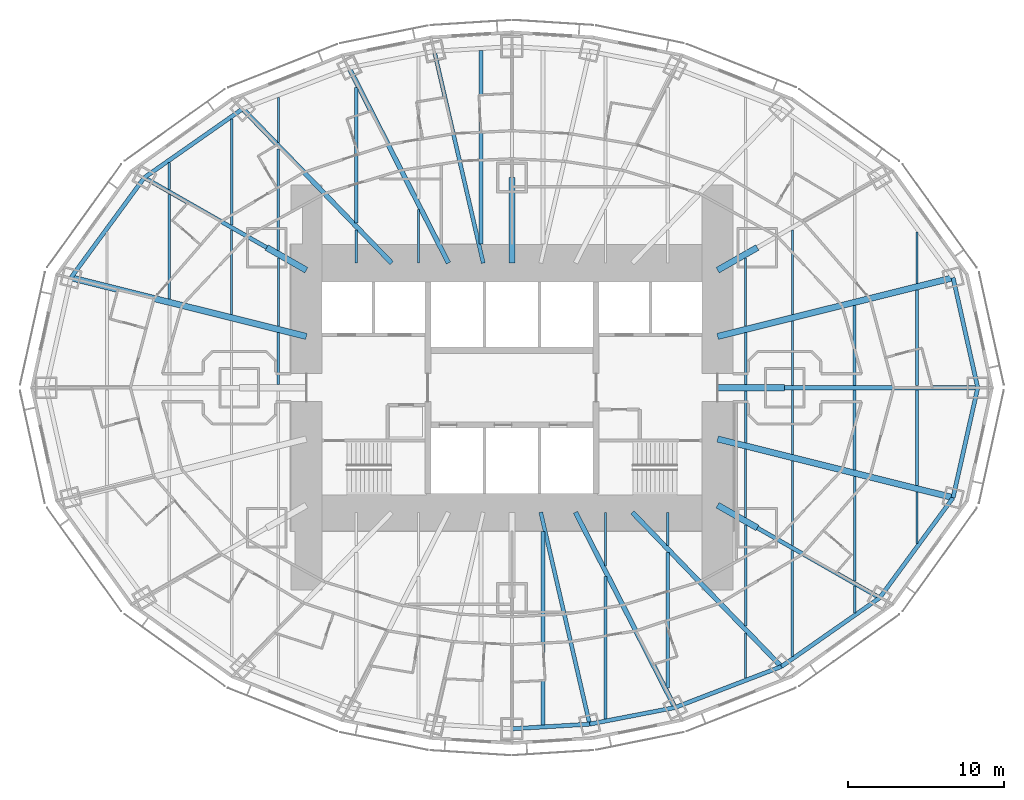
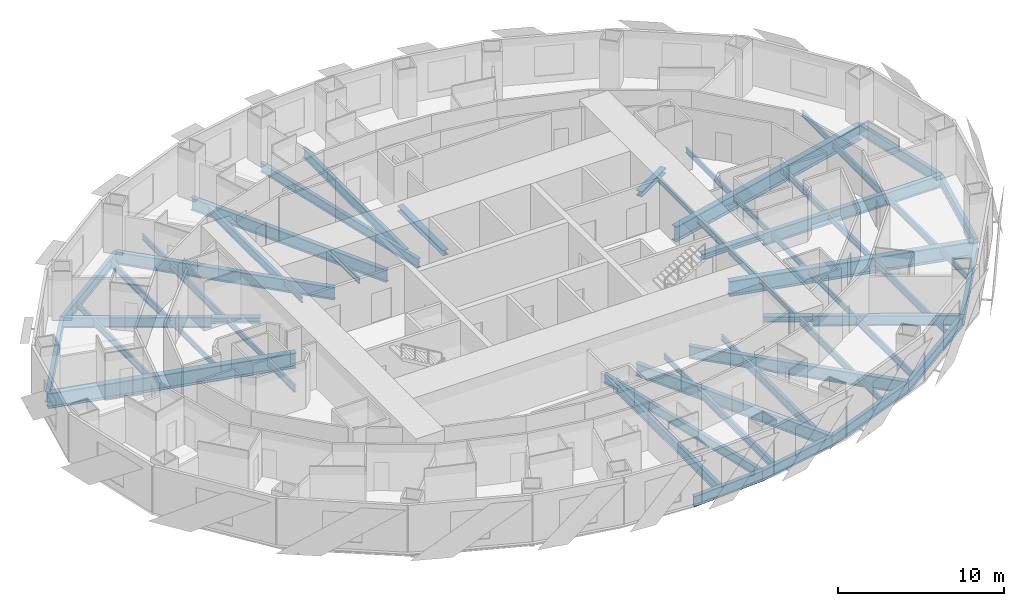
# One storey, part 2 of 15: 62 beams.
"""IFC4 building model written with IfcOpenShell, lengths in metres."""

import ifcopenshell
import ifcopenshell.guid

model = None  # the IFC model being written
_history = None  # IfcOwnerHistory: only IFC2X3 demands one
_inside = {}  # id of a spatial element -> (the spatial element, [elements in it])
_under = {}  # id of a project, library or spatial element -> (it, [spatial elements below it])
_declared = {}  # id of a project -> (the project, [libraries it declares])
_typed = {}  # id of a type object -> (the type object, [elements of that type])
_made_of = {}  # id of a material, layer set ... -> (it, [elements and type objects made of it])


def new_model(schema):
    """Start an empty IFC model of exactly this schema.

    Asked for "IFC4X3", IfcOpenShell would pick the latest addendum, in which some entities
    have other attributes; the version numbers below select the first issue.
    IFC2X3 requires an IfcOwnerHistory on every rooted entity: one is made here for all.
    """
    global model, _history
    if schema == "IFC4X3":
        model = ifcopenshell.file(schema_version=(4, 3, 0, 0))
    else:
        model = ifcopenshell.file(schema=schema)
    _inside.clear()
    _under.clear()
    _declared.clear()
    _typed.clear()
    _made_of.clear()
    _history = None
    if model.schema == "IFC2X3":
        org = make("IfcOrganization", Name="unknown")
        user = make(
            "IfcPersonAndOrganization",
            ThePerson=make("IfcPerson", FamilyName="unknown"),
            TheOrganization=org,
        )
        app = make(
            "IfcApplication",
            ApplicationDeveloper=org,
            Version="unknown",
            ApplicationFullName="unknown",
            ApplicationIdentifier="unknown",
        )
        _history = make(
            "IfcOwnerHistory",
            OwningUser=user,
            OwningApplication=app,
            ChangeAction="ADDED",
            CreationDate=0,
        )
    return model


def make(cls, **values):
    """One entity of the class cls with the attributes given. An attribute that is None is left unset."""
    return model.create_entity(
        cls, **{name: value for name, value in values.items() if value is not None}
    )


def rooted(cls, **values):
    """An entity with a GlobalId (a new one), such as an element, a storey or a relation."""
    return make(cls, GlobalId=ifcopenshell.guid.new(), OwnerHistory=_history, **values)


def si_unit(unit_type, name, prefix=None):
    """IfcSIUnit, for example si_unit("LENGTHUNIT", "METRE", prefix="MILLI")."""
    return make("IfcSIUnit", UnitType=unit_type, Prefix=prefix, Name=name)


def assignment(units):
    """IfcUnitAssignment: the units of a project."""
    return None if units is None else make("IfcUnitAssignment", Units=units)


def point(xyz):
    """IfcCartesianPoint."""
    return None if xyz is None else make("IfcCartesianPoint", Coordinates=xyz)


def direction(xyz):
    """IfcDirection."""
    return None if xyz is None else make("IfcDirection", DirectionRatios=xyz)


def frame(location, z_axis=None, x_axis=None):
    """IfcAxis2Placement3D, a coordinate frame: its origin and axes. An axis left out is left unset."""
    return make(
        "IfcAxis2Placement3D",
        Location=point(location),
        Axis=direction(z_axis),
        RefDirection=direction(x_axis),
    )


def frame_2d(location, x_axis=None):
    """IfcAxis2Placement2D, a coordinate frame in the plane: its origin and x axis."""
    return make(
        "IfcAxis2Placement2D", Location=point(location), RefDirection=direction(x_axis)
    )


def origin():
    """The frame at (0, 0, 0) with its axes left unset."""
    return frame((0.0, 0.0, 0.0))


def origin_2d():
    """The frame at (0, 0) in the plane with its x axis left unset."""
    return frame_2d((0.0, 0.0))


def place(relative_to, where):
    """IfcLocalPlacement: puts the frame where relative to a parent placement (None: the world)."""
    return make(
        "IfcLocalPlacement", PlacementRelTo=relative_to, RelativePlacement=where
    )


def context(
    kind, dimensions, precision=None, world=None, true_north=None, identifier=None
):
    """IfcGeometricRepresentationContext, for example the 3D "Model" context."""
    return make(
        "IfcGeometricRepresentationContext",
        ContextIdentifier=identifier,
        ContextType=kind,
        CoordinateSpaceDimension=dimensions,
        Precision=precision,
        WorldCoordinateSystem=world,
        TrueNorth=true_north,
    )


def subcontext(parent, identifier, kind, view, scale=None):
    """IfcGeometricRepresentationSubContext, for example "Body" below "Model"."""
    return make(
        "IfcGeometricRepresentationSubContext",
        ContextIdentifier=identifier,
        ContextType=kind,
        ParentContext=parent,
        TargetScale=scale,
        TargetView=view,
    )


def project(units=None, contexts=None):
    """IfcProject with its units and contexts."""
    return rooted(
        "IfcProject",
        Name="project",
        RepresentationContexts=contexts,
        UnitsInContext=assignment(units),
    )


def spatial(cls, under=None, at=None, **own):
    """A site, building, storey or space (cls), placed at a placement, below another one or the project."""
    s = rooted(cls, ObjectPlacement=at, **own)
    if under is not None:
        _under.setdefault(under.id(), (under, []))[1].append(s)
    return s


def profile(cls, at=None, kind="AREA", **sizes):
    """A parametric profile (cls). Its sizes go by their IFC names, for example OverallWidth=200.0."""
    return make(cls, ProfileType=kind, Position=at, **sizes)


def i_section(**sizes):
    """IfcIShapeProfileDef."""
    return profile("IfcIShapeProfileDef", **sizes)


def extrude(swept, where, along, depth):
    """IfcExtrudedAreaSolid: the profile swept, set in the frame where, extruded along a direction by depth."""
    return make(
        "IfcExtrudedAreaSolid",
        SweptArea=swept,
        Position=where,
        ExtrudedDirection=direction(along),
        Depth=depth,
    )


def shape(context_of_items, identifier, shape_type, items):
    """IfcShapeRepresentation: the items that make up one representation, for example the "Body"."""
    return make(
        "IfcShapeRepresentation",
        ContextOfItems=context_of_items,
        RepresentationIdentifier=identifier,
        RepresentationType=shape_type,
        Items=items,
    )


def material(Name=None, Category=None):
    """IfcMaterial."""
    return make("IfcMaterial", Name=Name, Category=Category)


def material_profile(
    of_material, cross_section, Name=None, Category=None, Priority=None
):
    """IfcMaterialProfile: a cross section and its material."""
    return make(
        "IfcMaterialProfile",
        Name=Name,
        Material=of_material,
        Profile=cross_section,
        Priority=Priority,
        Category=Category,
    )


def profile_set(profiles, Name=None, composite=None):
    """IfcMaterialProfileSet."""
    return make(
        "IfcMaterialProfileSet",
        Name=Name,
        MaterialProfiles=profiles,
        CompositeProfile=composite,
    )


def made_of(thing, what):
    """Note that an element or type object is made of a material, layer set ...; save() writes the relation."""
    if what is not None:
        _made_of.setdefault(what.id(), (what, []))[1].append(thing)
    return thing


def type_object(cls, material=None, **own):
    """A type object (cls), such as IfcWallType, which elements share."""
    return made_of(rooted(cls, **own), material)


def element(
    cls,
    number,
    at=None,
    inside=None,
    cuts=None,
    type_object=None,
    material=None,
    context=None,
    identifier="Body",
    shape_type=None,
    held_by="IfcProductDefinitionShape",
    body=None,
    shapes=None,
    **own,
):
    """One element of the class cls, such as IfcWall. Its Tag is "e" and its number.

    at: its placement. inside: the storey or other place that contains it. cuts: it is an
    opening in that element (IfcRelVoidsElement). A single representation is given by context,
    identifier, shape_type and body (its items); several are given by shapes. held_by: the class
    of the entity that holds the representations. save() writes the other relations.
    """
    e = rooted(cls, Tag="e%d" % number, ObjectPlacement=at, **own)
    if body is not None:
        shapes = [shape(context, identifier, shape_type, body)]
    if shapes is not None:
        e.Representation = make(held_by, Representations=shapes)
    if inside is not None:
        _inside.setdefault(inside.id(), (inside, []))[1].append(e)
    if cuts is not None:
        rooted(
            "IfcRelVoidsElement", RelatingBuildingElement=cuts, RelatedOpeningElement=e
        )
    if type_object is not None:
        _typed.setdefault(type_object.id(), (type_object, []))[1].append(e)
    return made_of(e, material)


def aggregate(whole, parts):
    """IfcRelAggregates: a whole, such as a stair, and the parts it consists of."""
    return rooted("IfcRelAggregates", RelatingObject=whole, RelatedObjects=parts)


def save(model, path):
    """Write the relations noted so far, then the file.

    IfcRelAggregates (storeys below a building ...), IfcRelContainedInSpatialStructure (elements
    in a storey), IfcRelDefinesByType, IfcRelAssociatesMaterial and IfcRelDeclares: one each for
    every whole, place, type object, material and project.
    """
    for whole, parts in _under.values():
        aggregate(whole, parts)
    for where, things in _inside.values():
        rooted(
            "IfcRelContainedInSpatialStructure",
            RelatedElements=things,
            RelatingStructure=where,
        )
    for kind, things in _typed.values():
        rooted("IfcRelDefinesByType", RelatedObjects=things, RelatingType=kind)
    for what, things in _made_of.values():
        rooted("IfcRelAssociatesMaterial", RelatedObjects=things, RelatingMaterial=what)
    for by, libraries in _declared.values():
        rooted("IfcRelDeclares", RelatingContext=by, RelatedDefinitions=libraries)
    model.write(path)


model = new_model("IFC4")

# Units and contexts
model_context = context("Model", 3, precision=1e-05, world=origin(), true_north=direction((0.0, 1.0)))
body_context = subcontext(model_context, "Body", "Model", "MODEL_VIEW")
ifc_project = project(units=[si_unit("LENGTHUNIT", "METRE"), si_unit("AREAUNIT", "SQUARE_METRE"), si_unit("VOLUMEUNIT", "CUBIC_METRE"), si_unit("PLANEANGLEUNIT", "RADIAN"), si_unit("MASSUNIT", "GRAM", prefix="KILO")], contexts=[model_context])

# Site, building, storey
site_placement = place(None, origin())
site = spatial("IfcSite", under=ifc_project, at=site_placement, CompositionType="ELEMENT")
building_placement = place(site_placement, origin())
building = spatial("IfcBuilding", under=site, at=building_placement, Name="Lantaw Convention Tower", CompositionType="ELEMENT")
storey_placement = place(building_placement, frame((0.0, 0.0, 62.199951171875)))
storey = spatial("IfcBuildingStorey", under=building, at=storey_placement, Name="L13", CompositionType="ELEMENT", Elevation=62.199951171875)

# Beams
ifc_material = material(Name="Steel ASTM A992", Category="steel")
ifc_material_profile_1 = material_profile(ifc_material, i_section(OverallWidth=0.2666015625, OverallDepth=0.76953125, WebThickness=0.015625, FlangeThickness=0.025390625, FilletRadius=0.0126953125, at=origin_2d()), Name="W30X132")
ifc_profile_set_1 = profile_set([ifc_material_profile_1], Name="Steel ASTM A992")
beam_type_1 = type_object("IfcBeamType", Name="Beam E W30X132", PredefinedType="SPANDREL", material=ifc_profile_set_1)
beam_1_placement = place(storey_placement, frame((29.89990234375, 0.0, -0.53466796875), z_axis=(-0.218652184873, 0.975802860239, 0.0), x_axis=(-0.975802860239, -0.218652184873, 0.0)))
element("IfcBeam", 1, at=beam_1_placement, inside=storey, type_object=beam_type_1, Name="Edge beam 1", PredefinedType="SPANDREL", context=body_context, shape_type="SweptSolid", body=[
    extrude(i_section(OverallWidth=0.2666015625, OverallDepth=0.76953125, WebThickness=0.015625, FlangeThickness=0.025390625, FilletRadius=0.0126953125, at=origin_2d()), origin(), (0.0, 0.0, 1.0), 7.2353515625),
])
beam_2_placement = place(storey_placement, frame((-17.290771484375, 17.9052734375, -0.53466796875), z_axis=(-0.81942686407, -0.57318375277, 0.0), x_axis=(0.57318375277, -0.81942686407, 0.0)))
element("IfcBeam", 2, at=beam_2_placement, inside=storey, type_object=beam_type_1, Name="Edge beam 10", PredefinedType="SPANDREL", context=body_context, shape_type="SweptSolid", body=[
    extrude(i_section(OverallWidth=0.2666015625, OverallDepth=0.76953125, WebThickness=0.015625, FlangeThickness=0.025390625, FilletRadius=0.0126953125, at=origin_2d()), origin(), (0.0, 0.0, 1.0), 7.70556640625),
])
beam_3_placement = place(storey_placement, frame((-23.60498046875, 13.488525390625, -0.53466796875), z_axis=(-0.591270709086, -0.806473154281, 0.0), x_axis=(0.806473154281, -0.591270709086, 0.0)))
element("IfcBeam", 3, at=beam_3_placement, inside=storey, type_object=beam_type_1, Name="Edge beam 11", PredefinedType="SPANDREL", context=body_context, shape_type="SweptSolid", body=[
    extrude(i_section(OverallWidth=0.2666015625, OverallDepth=0.76953125, WebThickness=0.015625, FlangeThickness=0.025390625, FilletRadius=0.0126953125, at=origin_2d()), origin(), (0.0, 0.0, 1.0), 7.970703125),
])
beam_4_placement = place(storey_placement, frame((0.0, -21.89990234375, -0.53466796875), z_axis=(0.998173858406, 0.060406526096, 0.0), x_axis=(-0.060406526096, 0.998173858406, 0.0)))
element("IfcBeam", 4, at=beam_4_placement, inside=storey, type_object=beam_type_1, Name="Edge beam 19", PredefinedType="SPANDREL", context=body_context, shape_type="SweptSolid", body=[
    extrude(i_section(OverallWidth=0.2666015625, OverallDepth=0.76953125, WebThickness=0.015625, FlangeThickness=0.025390625, FilletRadius=0.0126953125, at=origin_2d()), origin(), (0.0, 0.0, 1.0), 4.995361328125),
])
beam_5_placement = place(storey_placement, frame((4.986328125, -21.59814453125, -0.53466796875), z_axis=(0.981636565323, 0.190760723474, 0.0), x_axis=(-0.190760723474, 0.981636565323, 0.0)))
element("IfcBeam", 5, at=beam_5_placement, inside=storey, type_object=beam_type_1, Name="Edge beam 20", PredefinedType="SPANDREL", context=body_context, shape_type="SweptSolid", body=[
    extrude(i_section(OverallWidth=0.2666015625, OverallDepth=0.76953125, WebThickness=0.015625, FlangeThickness=0.025390625, FilletRadius=0.0126953125, at=origin_2d()), origin(), (0.0, 0.0, 1.0), 5.578857421875),
])
beam_6_placement = place(storey_placement, frame((10.462646484375, -20.533935546875, -0.53466796875), z_axis=(0.933232900641, 0.359271976588, 0.0), x_axis=(-0.359271976588, 0.933232900641, 0.0)))
element("IfcBeam", 6, at=beam_6_placement, inside=storey, type_object=beam_type_1, Name="Edge beam 21", PredefinedType="SPANDREL", context=body_context, shape_type="SweptSolid", body=[
    extrude(i_section(OverallWidth=0.2666015625, OverallDepth=0.76953125, WebThickness=0.015625, FlangeThickness=0.025390625, FilletRadius=0.0126953125, at=origin_2d()), origin(), (0.0, 0.0, 1.0), 7.316650390625),
])
beam_7_placement = place(storey_placement, frame((17.290771484375, -17.9052734375, -0.53466796875), z_axis=(0.81942686407, 0.57318375277, 0.0), x_axis=(-0.57318375277, 0.81942686407, 0.0)))
element("IfcBeam", 7, at=beam_7_placement, inside=storey, type_object=beam_type_1, Name="Edge beam 22", PredefinedType="SPANDREL", context=body_context, shape_type="SweptSolid", body=[
    extrude(i_section(OverallWidth=0.2666015625, OverallDepth=0.76953125, WebThickness=0.015625, FlangeThickness=0.025390625, FilletRadius=0.0126953125, at=origin_2d()), origin(), (0.0, 0.0, 1.0), 7.70556640625),
])
beam_8_placement = place(storey_placement, frame((23.60498046875, -13.488525390625, -0.53466796875), z_axis=(0.591270709086, 0.806473154281, 0.0), x_axis=(-0.806473154281, 0.591270709086, 0.0)))
element("IfcBeam", 8, at=beam_8_placement, inside=storey, type_object=beam_type_1, Name="Edge beam 23", PredefinedType="SPANDREL", context=body_context, shape_type="SweptSolid", body=[
    extrude(i_section(OverallWidth=0.2666015625, OverallDepth=0.76953125, WebThickness=0.015625, FlangeThickness=0.025390625, FilletRadius=0.0126953125, at=origin_2d()), origin(), (0.0, 0.0, 1.0), 7.970703125),
])
beam_9_placement = place(storey_placement, frame((28.31787109375, -7.060302734375, -0.53466796875), z_axis=(0.218652184873, 0.975802860239, 0.0), x_axis=(-0.975802860239, 0.218652184873, 0.0)))
element("IfcBeam", 9, at=beam_9_placement, inside=storey, type_object=beam_type_1, Name="Edge beam 24", PredefinedType="SPANDREL", context=body_context, shape_type="SweptSolid", body=[
    extrude(i_section(OverallWidth=0.2666015625, OverallDepth=0.76953125, WebThickness=0.015625, FlangeThickness=0.025390625, FilletRadius=0.0126953125, at=origin_2d()), origin(), (0.0, 0.0, 1.0), 7.2353515625),
])
ifc_material_profile_2 = material_profile(ifc_material, i_section(OverallWidth=0.25390625, OverallDepth=0.683349609375, WebThickness=0.012451171875, FlangeThickness=0.01904296875, FilletRadius=0.01513671875, at=origin_2d()), Name="W27X94")
ifc_profile_set_2 = profile_set([ifc_material_profile_2], Name="Steel ASTM A992")
beam_type_2 = type_object("IfcBeamType", Name="Beam G W27X94", PredefinedType="BEAM", material=ifc_profile_set_2)
for number, where, z_axis, x_axis, name in (
    (10, (-1.846923828125, 8.0, -0.49169921875), (-0.224952773175, 0.97436966796, 0.0), (-0.97436966796, -0.224952773175, 0.0), "Floor girder on ray 8"),
    (11, (1.846923828125, -8.0, -0.49169921875), (0.224952773175, -0.97436966796, 0.0), (0.97436966796, 0.224952773175, 0.0), "Floor girder on ray 20"),
):
    element("IfcBeam", number, at=place(storey_placement, frame(where, z_axis=z_axis, x_axis=x_axis)), inside=storey, type_object=beam_type_2, Name=name, PredefinedType="BEAM", context=body_context, shape_type="SweptSolid", body=[
        extrude(i_section(OverallWidth=0.25390625, OverallDepth=0.683349609375, WebThickness=0.012451171875, FlangeThickness=0.01904296875, FilletRadius=0.01513671875, at=origin_2d()), origin(), (0.0, 0.0, 1.0), 13.955810546875),
    ])
ifc_material_profile_3 = material_profile(ifc_material, i_section(OverallWidth=0.2666015625, OverallDepth=0.7568359375, WebThickness=0.013916015625, FlangeThickness=0.019287109375, FilletRadius=0.0126953125, at=origin_2d()), Name="W30X108")
ifc_profile_set_3 = profile_set([ifc_material_profile_3], Name="Steel ASTM A992")
beam_type_3 = type_object("IfcBeamType", Name="Beam G W30X108", PredefinedType="BEAM", material=ifc_profile_set_3)
for number, where, z_axis, x_axis, name in (
    (12, (-15.75, 9.0, -0.5283203125), (-0.868244802791, 0.496136032179, 0.0), (-0.496136032179, -0.868244802791, 0.0), "Floor girder on ray 11"),
    (13, (15.75, -9.0, -0.5283203125), (0.868244802791, -0.496136032179, 0.0), (0.496136032179, 0.868244802791, 0.0), "Floor girder on ray 23"),
):
    element("IfcBeam", number, at=place(storey_placement, frame(where, z_axis=z_axis, x_axis=x_axis)), inside=storey, type_object=beam_type_3, Name=name, PredefinedType="BEAM", context=body_context, shape_type="SweptSolid", body=[
        extrude(i_section(OverallWidth=0.2666015625, OverallDepth=0.7568359375, WebThickness=0.013916015625, FlangeThickness=0.019287109375, FilletRadius=0.0126953125, at=origin_2d()), origin(), (0.0, 0.0, 1.0), 9.046875),
    ])
ifc_material_profile_4 = material_profile(ifc_material, i_section(OverallWidth=0.307373046875, OverallDepth=0.922119140625, WebThickness=0.018310546875, FlangeThickness=0.030029296875, FilletRadius=0.0126953125, at=origin_2d()), Name="W36X182")
ifc_profile_set_4 = profile_set([ifc_material_profile_4], Name="Steel ASTM A992")
beam_type_4 = type_object("IfcBeamType", Name="Beam G W36X182", PredefinedType="BEAM", material=ifc_profile_set_4)
beam_10_placement = place(storey_placement, frame((17.5, 0.0, -0.61083984375), z_axis=(1.0, 0.0, 0.0), x_axis=(0.0, 1.0, 0.0)))
element("IfcBeam", 14, at=beam_10_placement, inside=storey, type_object=beam_type_4, Name="Floor girder on ray 1", PredefinedType="BEAM", context=body_context, shape_type="SweptSolid", body=[
    extrude(i_section(OverallWidth=0.307373046875, OverallDepth=0.922119140625, WebThickness=0.018310546875, FlangeThickness=0.030029296875, FilletRadius=0.0126953125, at=origin_2d()), origin(), (0.0, 0.0, 1.0), 12.39990234375),
])
beam_11_placement = place(storey_placement, frame((-4.076171875, 8.0, -0.61083984375), z_axis=(-0.453997016122, 0.891003203896, 0.0), x_axis=(-0.891003203896, -0.453997016122, 0.0)))
element("IfcBeam", 15, at=beam_11_placement, inside=storey, type_object=beam_type_4, Name="Floor girder on ray 9", PredefinedType="BEAM", context=body_context, shape_type="SweptSolid", body=[
    extrude(i_section(OverallWidth=0.307373046875, OverallDepth=0.922119140625, WebThickness=0.018310546875, FlangeThickness=0.030029296875, FilletRadius=0.0126953125, at=origin_2d()), origin(), (0.0, 0.0, 1.0), 14.067138671875),
])
beam_12_placement = place(storey_placement, frame((-7.7255859375, 8.0, -0.61083984375), z_axis=(-0.694649884291, 0.719347995239, 0.0), x_axis=(-0.719347995239, -0.694649884291, 0.0)))
element("IfcBeam", 16, at=beam_12_placement, inside=storey, type_object=beam_type_4, Name="Floor girder on ray 10", PredefinedType="BEAM", context=body_context, shape_type="SweptSolid", body=[
    extrude(i_section(OverallWidth=0.307373046875, OverallDepth=0.922119140625, WebThickness=0.018310546875, FlangeThickness=0.030029296875, FilletRadius=0.0126953125, at=origin_2d()), origin(), (0.0, 0.0, 1.0), 13.769775390625),
])
beam_13_placement = place(storey_placement, frame((4.076171875, -8.0, -0.61083984375), z_axis=(0.453997016122, -0.891003203896, 0.0), x_axis=(0.891003203896, 0.453997016122, 0.0)))
element("IfcBeam", 17, at=beam_13_placement, inside=storey, type_object=beam_type_4, Name="Floor girder on ray 21", PredefinedType="BEAM", context=body_context, shape_type="SweptSolid", body=[
    extrude(i_section(OverallWidth=0.307373046875, OverallDepth=0.922119140625, WebThickness=0.018310546875, FlangeThickness=0.030029296875, FilletRadius=0.0126953125, at=origin_2d()), origin(), (0.0, 0.0, 1.0), 14.067138671875),
])
beam_14_placement = place(storey_placement, frame((7.7255859375, -8.0, -0.61083984375), z_axis=(0.694649884291, -0.719347995239, 0.0), x_axis=(0.719347995239, 0.694649884291, 0.0)))
element("IfcBeam", 18, at=beam_14_placement, inside=storey, type_object=beam_type_4, Name="Floor girder on ray 22", PredefinedType="BEAM", context=body_context, shape_type="SweptSolid", body=[
    extrude(i_section(OverallWidth=0.307373046875, OverallDepth=0.922119140625, WebThickness=0.018310546875, FlangeThickness=0.030029296875, FilletRadius=0.0126953125, at=origin_2d()), origin(), (0.0, 0.0, 1.0), 13.769775390625),
])
ifc_material_profile_5 = material_profile(ifc_material, i_section(OverallWidth=0.40380859375, OverallDepth=1.11767578125, WebThickness=0.026123046875, FlangeThickness=0.044921875, FilletRadius=0.02001953125, at=origin_2d()), Name="W44X335")
ifc_profile_set_5 = profile_set([ifc_material_profile_5], Name="Steel ASTM A992")
beam_type_5 = type_object("IfcBeamType", Name="Beam G W44X335", PredefinedType="BEAM", material=ifc_profile_set_5)
for number, where, z_axis, x_axis, name in (
    (19, (13.199951171875, 3.291015625, -0.708740234375), (0.970296233567, 0.241919860957, 0.0), (-0.241919860957, 0.970296233567, 0.0), "Floor girder on ray 2"),
    (20, (-13.199951171875, 3.291015625, -0.708740234375), (-0.970296233567, 0.241919860957, 0.0), (-0.241919860957, -0.970296233567, 0.0), "Floor girder on ray 12"),
    (21, (13.199951171875, -3.291015625, -0.708740234375), (0.970296233567, -0.241919860957, 0.0), (0.241919860957, 0.970296233567, 0.0), "Floor girder on ray 24"),
):
    element("IfcBeam", number, at=place(storey_placement, frame(where, z_axis=z_axis, x_axis=x_axis)), inside=storey, type_object=beam_type_5, Name=name, PredefinedType="BEAM", context=body_context, shape_type="SweptSolid", body=[
        extrude(i_section(OverallWidth=0.40380859375, OverallDepth=1.11767578125, WebThickness=0.026123046875, FlangeThickness=0.044921875, FilletRadius=0.02001953125, at=origin_2d()), origin(), (0.0, 0.0, 1.0), 15.580810546875),
    ])
ifc_material_profile_6 = material_profile(ifc_material, i_section(OverallWidth=0.40380859375, OverallDepth=0.406494140625, WebThickness=0.027099609375, FlangeThickness=0.043701171875, FilletRadius=0.01513671875, at=origin_2d()), Name="W14X233")
ifc_profile_set_6 = profile_set([ifc_material_profile_6], Name="Steel ASTM A992")
beam_type_6 = type_object("IfcBeamType", Name="Beam GM W14X233", PredefinedType="BEAM", material=ifc_profile_set_6)
beam_15_placement = place(storey_placement, frame((13.199951171875, 0.0, -0.353271484375), z_axis=(1.0, 0.0, 0.0), x_axis=(0.0, 1.0, 0.0)))
element("IfcBeam", 22, at=beam_15_placement, inside=storey, type_object=beam_type_6, Name="Core link beam on ray 1", PredefinedType="BEAM", context=body_context, shape_type="SweptSolid", body=[
    extrude(i_section(OverallWidth=0.40380859375, OverallDepth=0.406494140625, WebThickness=0.027099609375, FlangeThickness=0.043701171875, FilletRadius=0.01513671875, at=origin_2d()), origin(), (0.0, 0.0, 1.0), 4.300048828125),
])
beam_16_placement = place(storey_placement, frame((13.199951171875, 7.54296875, -0.353271484375), z_axis=(0.868263603466, 0.496103129295, 0.0), x_axis=(-0.496103129295, 0.868263603466, 0.0)))
element("IfcBeam", 23, at=beam_16_placement, inside=storey, type_object=beam_type_6, Name="Core link beam on ray 3", PredefinedType="BEAM", context=body_context, shape_type="SweptSolid", body=[
    extrude(i_section(OverallWidth=0.40380859375, OverallDepth=0.406494140625, WebThickness=0.027099609375, FlangeThickness=0.043701171875, FilletRadius=0.01513671875, at=origin_2d()), origin(), (0.0, 0.0, 1.0), 2.93701171875),
])
beam_17_placement = place(storey_placement, frame((0.0, 8.0, -0.353271484375), z_axis=(0.0, 1.0, 0.0), x_axis=(-1.0, 0.0, 0.0)))
element("IfcBeam", 24, at=beam_17_placement, inside=storey, type_object=beam_type_6, Name="Core link beam on ray 7", PredefinedType="BEAM", context=body_context, shape_type="SweptSolid", body=[
    extrude(i_section(OverallWidth=0.40380859375, OverallDepth=0.406494140625, WebThickness=0.027099609375, FlangeThickness=0.043701171875, FilletRadius=0.01513671875, at=origin_2d()), origin(), (0.0, 0.0, 1.0), 5.5),
])
for number, where, z_axis, x_axis, name in (
    (25, (-13.199951171875, 7.54296875, -0.353271484375), (-0.868263603466, 0.496103129295, 0.0), (-0.496103129295, -0.868263603466, 0.0), "Core link beam on ray 11"),
    (26, (13.199951171875, -7.54296875, -0.353271484375), (0.868263603466, -0.496103129295, 0.0), (0.496103129295, 0.868263603466, 0.0), "Core link beam on ray 23"),
):
    element("IfcBeam", number, at=place(storey_placement, frame(where, z_axis=z_axis, x_axis=x_axis)), inside=storey, type_object=beam_type_6, Name=name, PredefinedType="BEAM", context=body_context, shape_type="SweptSolid", body=[
        extrude(i_section(OverallWidth=0.40380859375, OverallDepth=0.406494140625, WebThickness=0.027099609375, FlangeThickness=0.043701171875, FilletRadius=0.01513671875, at=origin_2d()), origin(), (0.0, 0.0, 1.0), 2.93701171875),
    ])
ifc_material_profile_7 = material_profile(ifc_material, i_section(OverallWidth=0.140380859375, OverallDepth=0.40380859375, WebThickness=0.007080078125, FlangeThickness=0.01123046875, FilletRadius=0.01025390625, at=origin_2d()), Name="W16X31")
ifc_profile_set_7 = profile_set([ifc_material_profile_7], Name="Steel ASTM A992")
beam_type_7 = type_object("IfcBeamType", Name="Beam J W16X31", PredefinedType="JOIST", material=ifc_profile_set_7)
beam_18_placement = place(storey_placement, frame((-22.0, 12.72509765625, -0.351806640625), z_axis=(0.0, 1.0, 0.0), x_axis=(-1.0, 0.0, 0.0)))
element("IfcBeam", 27, at=beam_18_placement, inside=storey, type_object=beam_type_7, Name="Floor joist", PredefinedType="JOIST", context=body_context, shape_type="SweptSolid", body=[
    extrude(i_section(OverallWidth=0.140380859375, OverallDepth=0.40380859375, WebThickness=0.007080078125, FlangeThickness=0.01123046875, FilletRadius=0.01025390625, at=origin_2d()), origin(), (0.0, 0.0, 1.0), 1.723388671875),
])
beam_19_placement = place(storey_placement, frame((-18.0, 4.696044921875, -0.351806640625), z_axis=(0.0, 1.0, 0.0), x_axis=(-1.0, 0.0, 0.0)))
element("IfcBeam", 28, at=beam_19_placement, inside=storey, type_object=beam_type_7, Name="Floor joist", PredefinedType="JOIST", context=body_context, shape_type="SweptSolid", body=[
    extrude(i_section(OverallWidth=0.140380859375, OverallDepth=0.40380859375, WebThickness=0.007080078125, FlangeThickness=0.01123046875, FilletRadius=0.01025390625, at=origin_2d()), origin(), (0.0, 0.0, 1.0), 5.43603515625),
])
beam_20_placement = place(storey_placement, frame((-15.0, 3.947998046875, -0.351806640625), z_axis=(0.0, 1.0, 0.0), x_axis=(-1.0, 0.0, 0.0)))
element("IfcBeam", 29, at=beam_20_placement, inside=storey, type_object=beam_type_7, Name="Floor joist", PredefinedType="JOIST", context=body_context, shape_type="SweptSolid", body=[
    extrude(i_section(OverallWidth=0.140380859375, OverallDepth=0.40380859375, WebThickness=0.007080078125, FlangeThickness=0.01123046875, FilletRadius=0.01025390625, at=origin_2d()), origin(), (0.0, 0.0, 1.0), 4.390869140625),
])
beam_21_placement = place(storey_placement, frame((-15.0, 15.754150390625, -0.351806640625), z_axis=(0.0, 1.0, 0.0), x_axis=(-1.0, 0.0, 0.0)))
element("IfcBeam", 30, at=beam_21_placement, inside=storey, type_object=beam_type_7, Name="Floor joist", PredefinedType="JOIST", context=body_context, shape_type="SweptSolid", body=[
    extrude(i_section(OverallWidth=0.140380859375, OverallDepth=0.40380859375, WebThickness=0.007080078125, FlangeThickness=0.01123046875, FilletRadius=0.01025390625, at=origin_2d()), origin(), (0.0, 0.0, 1.0), 2.89013671875),
])
beam_22_placement = place(storey_placement, frame((-10.0, 8.0, -0.351806640625), z_axis=(0.0, 1.0, 0.0), x_axis=(-1.0, 0.0, 0.0)))
element("IfcBeam", 31, at=beam_22_placement, inside=storey, type_object=beam_type_7, Name="Floor joist", PredefinedType="JOIST", context=body_context, shape_type="SweptSolid", body=[
    extrude(i_section(OverallWidth=0.140380859375, OverallDepth=0.40380859375, WebThickness=0.007080078125, FlangeThickness=0.01123046875, FilletRadius=0.01025390625, at=origin_2d()), origin(), (0.0, 0.0, 1.0), 2.134033203125),
])
for number, where, z_axis, x_axis, name in (
    (32, (-6.0, 8.0, -0.351806640625), (0.0, 1.0, 0.0), (-1.0, 0.0, 0.0), "Floor joist"),
    (33, (6.0, -11.437255859375, -0.351806640625), (0.0, 1.0, 0.0), (-1.0, 0.0, 0.0), "Floor joist"),
):
    element("IfcBeam", number, at=place(storey_placement, frame(where, z_axis=z_axis, x_axis=x_axis)), inside=storey, type_object=beam_type_7, Name=name, PredefinedType="JOIST", context=body_context, shape_type="SweptSolid", body=[
        extrude(i_section(OverallWidth=0.140380859375, OverallDepth=0.40380859375, WebThickness=0.007080078125, FlangeThickness=0.01123046875, FilletRadius=0.01025390625, at=origin_2d()), origin(), (0.0, 0.0, 1.0), 3.437255859375),
    ])
beam_23_placement = place(storey_placement, frame((10.0, -10.134033203125, -0.351806640625), z_axis=(0.0, 1.0, 0.0), x_axis=(-1.0, 0.0, 0.0)))
element("IfcBeam", 34, at=beam_23_placement, inside=storey, type_object=beam_type_7, Name="Floor joist", PredefinedType="JOIST", context=body_context, shape_type="SweptSolid", body=[
    extrude(i_section(OverallWidth=0.140380859375, OverallDepth=0.40380859375, WebThickness=0.007080078125, FlangeThickness=0.01123046875, FilletRadius=0.01025390625, at=origin_2d()), origin(), (0.0, 0.0, 1.0), 2.134033203125),
])
beam_24_placement = place(storey_placement, frame((15.0, -18.644287109375, -0.351806640625), z_axis=(0.0, 1.0, 0.0), x_axis=(-1.0, 0.0, 0.0)))
element("IfcBeam", 35, at=beam_24_placement, inside=storey, type_object=beam_type_7, Name="Floor joist", PredefinedType="JOIST", context=body_context, shape_type="SweptSolid", body=[
    extrude(i_section(OverallWidth=0.140380859375, OverallDepth=0.40380859375, WebThickness=0.007080078125, FlangeThickness=0.01123046875, FilletRadius=0.01025390625, at=origin_2d()), origin(), (0.0, 0.0, 1.0), 2.89013671875),
])
for number, where, z_axis, x_axis, name in (
    (36, (15.0, -8.3388671875, -0.351806640625), (0.0, 1.0, 0.0), (-1.0, 0.0, 0.0), "Floor joist"),
    (37, (15.0, 3.947998046875, -0.351806640625), (0.0, 1.0, 0.0), (-1.0, 0.0, 0.0), "Floor joist"),
):
    element("IfcBeam", number, at=place(storey_placement, frame(where, z_axis=z_axis, x_axis=x_axis)), inside=storey, type_object=beam_type_7, Name=name, PredefinedType="JOIST", context=body_context, shape_type="SweptSolid", body=[
        extrude(i_section(OverallWidth=0.140380859375, OverallDepth=0.40380859375, WebThickness=0.007080078125, FlangeThickness=0.01123046875, FilletRadius=0.01025390625, at=origin_2d()), origin(), (0.0, 0.0, 1.0), 4.390869140625),
    ])
beam_25_placement = place(storey_placement, frame((18.0, -10.132080078125, -0.351806640625), z_axis=(0.0, 1.0, 0.0), x_axis=(-1.0, 0.0, 0.0)))
element("IfcBeam", 38, at=beam_25_placement, inside=storey, type_object=beam_type_7, Name="Floor joist", PredefinedType="JOIST", context=body_context, shape_type="SweptSolid", body=[
    extrude(i_section(OverallWidth=0.140380859375, OverallDepth=0.40380859375, WebThickness=0.007080078125, FlangeThickness=0.01123046875, FilletRadius=0.01025390625, at=origin_2d()), origin(), (0.0, 0.0, 1.0), 5.43603515625),
])
for number, where, z_axis, x_axis, name in (
    (39, (18.0, -4.27978515625, -0.351806640625), (0.0, 1.0, 0.0), (-1.0, 0.0, 0.0), "Floor joist"),
    (40, (18.0, 0.153564453125, -0.351806640625), (0.0, 1.0, 0.0), (-1.0, 0.0, 0.0), "Floor joist"),
):
    element("IfcBeam", number, at=place(storey_placement, frame(where, z_axis=z_axis, x_axis=x_axis)), inside=storey, type_object=beam_type_7, Name=name, PredefinedType="JOIST", context=body_context, shape_type="SweptSolid", body=[
        extrude(i_section(OverallWidth=0.140380859375, OverallDepth=0.40380859375, WebThickness=0.007080078125, FlangeThickness=0.01123046875, FilletRadius=0.01025390625, at=origin_2d()), origin(), (0.0, 0.0, 1.0), 4.126220703125),
    ])
beam_26_placement = place(storey_placement, frame((18.0, 4.696044921875, -0.351806640625), z_axis=(0.0, 1.0, 0.0), x_axis=(-1.0, 0.0, 0.0)))
element("IfcBeam", 41, at=beam_26_placement, inside=storey, type_object=beam_type_7, Name="Floor joist", PredefinedType="JOIST", context=body_context, shape_type="SweptSolid", body=[
    extrude(i_section(OverallWidth=0.140380859375, OverallDepth=0.40380859375, WebThickness=0.007080078125, FlangeThickness=0.01123046875, FilletRadius=0.01025390625, at=origin_2d()), origin(), (0.0, 0.0, 1.0), 5.43603515625),
])
beam_27_placement = place(storey_placement, frame((22.0, -14.448486328125, -0.351806640625), z_axis=(0.0, 1.0, 0.0), x_axis=(-1.0, 0.0, 0.0)))
element("IfcBeam", 42, at=beam_27_placement, inside=storey, type_object=beam_type_7, Name="Floor joist", PredefinedType="JOIST", context=body_context, shape_type="SweptSolid", body=[
    extrude(i_section(OverallWidth=0.140380859375, OverallDepth=0.40380859375, WebThickness=0.007080078125, FlangeThickness=0.01123046875, FilletRadius=0.01025390625, at=origin_2d()), origin(), (0.0, 0.0, 1.0), 1.723388671875),
])
for number, where, z_axis, x_axis, name in (
    (43, (26.0, -9.996337890625, -0.351806640625), (0.0, 1.0, 0.0), (-1.0, 0.0, 0.0), "Floor joist"),
    (44, (26.0, 6.690673828125, -0.351806640625), (0.0, 1.0, 0.0), (-1.0, 0.0, 0.0), "Floor joist"),
):
    element("IfcBeam", number, at=place(storey_placement, frame(where, z_axis=z_axis, x_axis=x_axis)), inside=storey, type_object=beam_type_7, Name=name, PredefinedType="JOIST", context=body_context, shape_type="SweptSolid", body=[
        extrude(i_section(OverallWidth=0.140380859375, OverallDepth=0.40380859375, WebThickness=0.007080078125, FlangeThickness=0.01123046875, FilletRadius=0.01025390625, at=origin_2d()), origin(), (0.0, 0.0, 1.0), 3.3056640625),
    ])
ifc_material_profile_8 = material_profile(ifc_material, i_section(OverallWidth=0.1904296875, OverallDepth=0.457275390625, WebThickness=0.009033203125, FlangeThickness=0.014404296875, FilletRadius=0.01025390625, at=origin_2d()), Name="W18X50")
ifc_profile_set_8 = profile_set([ifc_material_profile_8], Name="Steel ASTM A992")
beam_type_8 = type_object("IfcBeamType", Name="Beam J W18X50", PredefinedType="JOIST", material=ifc_profile_set_8)
for number, where, z_axis, x_axis, name in (
    (45, (22.0, -5.277099609375, -0.378662109375), (0.0, 1.0, 0.0), (-1.0, 0.0, 0.0), "Floor joist"),
    (46, (22.0, 0.153564453125, -0.378662109375), (0.0, 1.0, 0.0), (-1.0, 0.0, 0.0), "Floor joist"),
):
    element("IfcBeam", number, at=place(storey_placement, frame(where, z_axis=z_axis, x_axis=x_axis)), inside=storey, type_object=beam_type_8, Name=name, PredefinedType="JOIST", context=body_context, shape_type="SweptSolid", body=[
        extrude(i_section(OverallWidth=0.1904296875, OverallDepth=0.457275390625, WebThickness=0.009033203125, FlangeThickness=0.014404296875, FilletRadius=0.01025390625, at=origin_2d()), origin(), (0.0, 0.0, 1.0), 5.12353515625),
    ])
ifc_material_profile_9 = material_profile(ifc_material, i_section(OverallWidth=0.1650390625, OverallDepth=0.52587890625, WebThickness=0.0087890625, FlangeThickness=0.011474609375, FilletRadius=0.0126953125, at=origin_2d()), Name="W21X44")
ifc_profile_set_9 = profile_set([ifc_material_profile_9], Name="Steel ASTM A992")
beam_type_9 = type_object("IfcBeamType", Name="Beam J W21X44", PredefinedType="JOIST", material=ifc_profile_set_9)
beam_28_placement = place(storey_placement, frame((-22.0, 5.693359375, -0.412841796875), z_axis=(0.0, 1.0, 0.0), x_axis=(-1.0, 0.0, 0.0)))
element("IfcBeam", 47, at=beam_28_placement, inside=storey, type_object=beam_type_9, Name="Floor joist", PredefinedType="JOIST", context=body_context, shape_type="SweptSolid", body=[
    extrude(i_section(OverallWidth=0.1650390625, OverallDepth=0.52587890625, WebThickness=0.0087890625, FlangeThickness=0.011474609375, FilletRadius=0.0126953125, at=origin_2d()), origin(), (0.0, 0.0, 1.0), 6.724609375),
])
beam_29_placement = place(storey_placement, frame((-18.0, 10.439208984375, -0.412841796875), z_axis=(0.0, 1.0, 0.0), x_axis=(-1.0, 0.0, 0.0)))
element("IfcBeam", 48, at=beam_29_placement, inside=storey, type_object=beam_type_9, Name="Floor joist", PredefinedType="JOIST", context=body_context, shape_type="SweptSolid", body=[
    extrude(i_section(OverallWidth=0.1650390625, OverallDepth=0.52587890625, WebThickness=0.0087890625, FlangeThickness=0.011474609375, FilletRadius=0.0126953125, at=origin_2d()), origin(), (0.0, 0.0, 1.0), 6.80712890625),
])
for number, where, z_axis, x_axis, name in (
    (49, (-15.0, 8.803955078125, -0.412841796875), (0.0, 1.0, 0.0), (-1.0, 0.0, 0.0), "Floor joist"),
    (50, (15.0, -15.311767578125, -0.412841796875), (0.0, 1.0, 0.0), (-1.0, 0.0, 0.0), "Floor joist"),
):
    element("IfcBeam", number, at=place(storey_placement, frame(where, z_axis=z_axis, x_axis=x_axis)), inside=storey, type_object=beam_type_9, Name=name, PredefinedType="JOIST", context=body_context, shape_type="SweptSolid", body=[
        extrude(i_section(OverallWidth=0.1650390625, OverallDepth=0.52587890625, WebThickness=0.0087890625, FlangeThickness=0.011474609375, FilletRadius=0.0126953125, at=origin_2d()), origin(), (0.0, 0.0, 1.0), 6.5078125),
    ])
beam_30_placement = place(storey_placement, frame((18.0, -17.246337890625, -0.412841796875), z_axis=(0.0, 1.0, 0.0), x_axis=(-1.0, 0.0, 0.0)))
element("IfcBeam", 51, at=beam_30_placement, inside=storey, type_object=beam_type_9, Name="Floor joist", PredefinedType="JOIST", context=body_context, shape_type="SweptSolid", body=[
    extrude(i_section(OverallWidth=0.1650390625, OverallDepth=0.52587890625, WebThickness=0.0087890625, FlangeThickness=0.011474609375, FilletRadius=0.0126953125, at=origin_2d()), origin(), (0.0, 0.0, 1.0), 6.80712890625),
])
beam_31_placement = place(storey_placement, frame((22.0, -12.41796875, -0.412841796875), z_axis=(0.0, 1.0, 0.0), x_axis=(-1.0, 0.0, 0.0)))
element("IfcBeam", 52, at=beam_31_placement, inside=storey, type_object=beam_type_9, Name="Floor joist", PredefinedType="JOIST", context=body_context, shape_type="SweptSolid", body=[
    extrude(i_section(OverallWidth=0.1650390625, OverallDepth=0.52587890625, WebThickness=0.0087890625, FlangeThickness=0.011474609375, FilletRadius=0.0126953125, at=origin_2d()), origin(), (0.0, 0.0, 1.0), 6.724609375),
])
ifc_material_profile_10 = material_profile(ifc_material, i_section(OverallWidth=0.165771484375, OverallDepth=0.5283203125, WebThickness=0.009765625, FlangeThickness=0.013671875, FilletRadius=0.012939453125, at=origin_2d()), Name="W21X50")
ifc_profile_set_10 = profile_set([ifc_material_profile_10], Name="Steel ASTM A992")
beam_type_10 = type_object("IfcBeamType", Name="Beam J W21X50", PredefinedType="JOIST", material=ifc_profile_set_10)
for number, where, z_axis, x_axis, name in (
    (53, (-15.0, 0.201904296875, -0.4140625), (0.0, 1.0, 0.0), (-1.0, 0.0, 0.0), "Floor joist"),
    (54, (15.0, -3.53173828125, -0.4140625), (0.0, 1.0, 0.0), (-1.0, 0.0, 0.0), "Floor joist"),
    (55, (15.0, 0.201904296875, -0.4140625), (0.0, 1.0, 0.0), (-1.0, 0.0, 0.0), "Floor joist"),
):
    element("IfcBeam", number, at=place(storey_placement, frame(where, z_axis=z_axis, x_axis=x_axis)), inside=storey, type_object=beam_type_10, Name=name, PredefinedType="JOIST", context=body_context, shape_type="SweptSolid", body=[
        extrude(i_section(OverallWidth=0.165771484375, OverallDepth=0.5283203125, WebThickness=0.009765625, FlangeThickness=0.013671875, FilletRadius=0.012939453125, at=origin_2d()), origin(), (0.0, 0.0, 1.0), 3.329833984375),
    ])
for number, where, z_axis, x_axis, name in (
    (56, (26.0, -6.2744140625, -0.4140625), (0.0, 1.0, 0.0), (-1.0, 0.0, 0.0), "Floor joist"),
    (57, (26.0, 0.153564453125, -0.4140625), (0.0, 1.0, 0.0), (-1.0, 0.0, 0.0), "Floor joist"),
):
    element("IfcBeam", number, at=place(storey_placement, frame(where, z_axis=z_axis, x_axis=x_axis)), inside=storey, type_object=beam_type_10, Name=name, PredefinedType="JOIST", context=body_context, shape_type="SweptSolid", body=[
        extrude(i_section(OverallWidth=0.165771484375, OverallDepth=0.5283203125, WebThickness=0.009765625, FlangeThickness=0.013671875, FilletRadius=0.012939453125, at=origin_2d()), origin(), (0.0, 0.0, 1.0), 6.120849609375),
    ])
ifc_material_profile_11 = material_profile(ifc_material, i_section(OverallWidth=0.2099609375, OverallDepth=0.535888671875, WebThickness=0.010986328125, FlangeThickness=0.017333984375, FilletRadius=0.012939453125, at=origin_2d()), Name="W21X68")
ifc_profile_set_11 = profile_set([ifc_material_profile_11], Name="Steel ASTM A992")
beam_type_11 = type_object("IfcBeamType", Name="Beam J W21X68", PredefinedType="JOIST", material=ifc_profile_set_11)
beam_32_placement = place(storey_placement, frame((6.0, -21.26513671875, -0.41796875), z_axis=(0.0, 1.0, 0.0), x_axis=(-1.0, 0.0, 0.0)))
element("IfcBeam", 58, at=beam_32_placement, inside=storey, type_object=beam_type_11, Name="Floor joist", PredefinedType="JOIST", context=body_context, shape_type="SweptSolid", body=[
    extrude(i_section(OverallWidth=0.2099609375, OverallDepth=0.535888671875, WebThickness=0.010986328125, FlangeThickness=0.017333984375, FilletRadius=0.012939453125, at=origin_2d()), origin(), (0.0, 0.0, 1.0), 9.15087890625),
])
ifc_material_profile_12 = material_profile(ifc_material, i_section(OverallWidth=0.227783203125, OverallDepth=0.60205078125, WebThickness=0.010498046875, FlangeThickness=0.014892578125, FilletRadius=0.012939453125, at=origin_2d()), Name="W24X68")
ifc_profile_set_12 = profile_set([ifc_material_profile_12], Name="Steel ASTM A992")
beam_type_12 = type_object("IfcBeamType", Name="Beam J W24X68", PredefinedType="JOIST", material=ifc_profile_set_12)
for number, where, z_axis, x_axis, name in (
    (59, (-10.0, 10.576416015625, -0.450927734375), (0.0, 1.0, 0.0), (-1.0, 0.0, 0.0), "Floor joist"),
    (60, (10.0, -19.28759765625, -0.450927734375), (0.0, 1.0, 0.0), (-1.0, 0.0, 0.0), "Floor joist"),
):
    element("IfcBeam", number, at=place(storey_placement, frame(where, z_axis=z_axis, x_axis=x_axis)), inside=storey, type_object=beam_type_12, Name=name, PredefinedType="JOIST", context=body_context, shape_type="SweptSolid", body=[
        extrude(i_section(OverallWidth=0.227783203125, OverallDepth=0.60205078125, WebThickness=0.010498046875, FlangeThickness=0.014892578125, FilletRadius=0.012939453125, at=origin_2d()), origin(), (0.0, 0.0, 1.0), 8.711181640625),
    ])
ifc_material_profile_13 = material_profile(ifc_material, i_section(OverallWidth=0.25390625, OverallDepth=0.700927734375, WebThickness=0.015380859375, FlangeThickness=0.02783203125, FilletRadius=0.01513671875, at=origin_2d()), Name="W27X129")
ifc_profile_set_13 = profile_set([ifc_material_profile_13], Name="Steel ASTM A992")
beam_type_13 = type_object("IfcBeamType", Name="Beam J W27X129", PredefinedType="JOIST", material=ifc_profile_set_13)
for number, where, z_axis, x_axis, name in (
    (61, (-2.0, 9.2275390625, -0.50048828125), (0.0, 1.0, 0.0), (-1.0, 0.0, 0.0), "Floor joist"),
    (62, (2.0, -21.645263671875, -0.50048828125), (0.0, 1.0, 0.0), (-1.0, 0.0, 0.0), "Floor joist"),
):
    element("IfcBeam", number, at=place(storey_placement, frame(where, z_axis=z_axis, x_axis=x_axis)), inside=storey, type_object=beam_type_13, Name=name, PredefinedType="JOIST", context=body_context, shape_type="SweptSolid", body=[
        extrude(i_section(OverallWidth=0.25390625, OverallDepth=0.700927734375, WebThickness=0.015380859375, FlangeThickness=0.02783203125, FilletRadius=0.01513671875, at=origin_2d()), origin(), (0.0, 0.0, 1.0), 12.417724609375),
    ])

save(model, "model.ifc")
